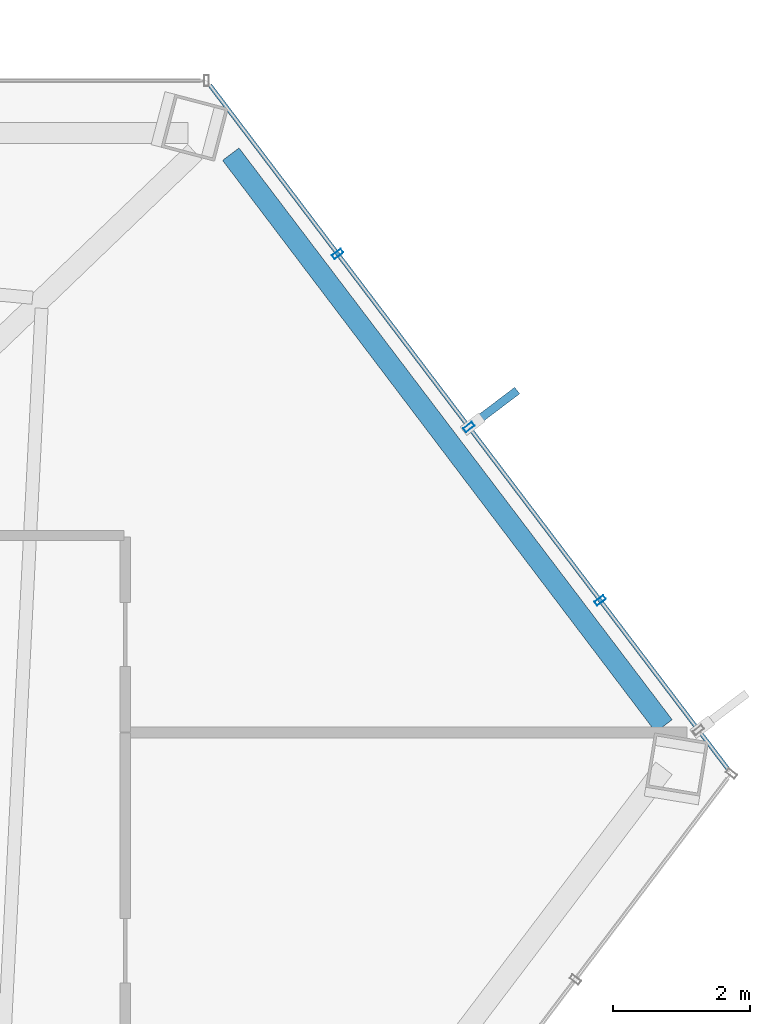
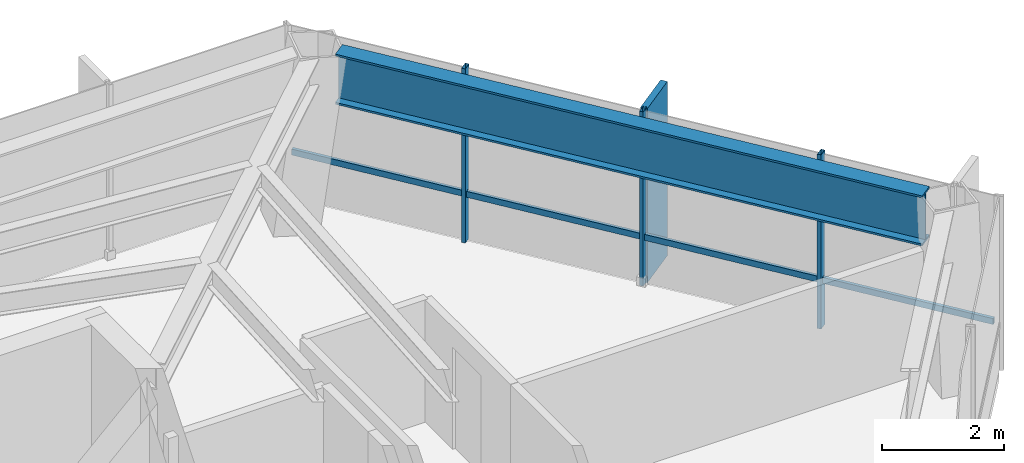
# One storey, part 23 of 29: 5 members, 1 beam, 1 element without a shape of its own.
"""IFC4 building model written with IfcOpenShell, lengths in metres."""

from ifc_helpers import new_model, si_unit, direction, frame, origin, origin_2d, place, context, subcontext, project, spatial, rectangle, hollow_rectangle, i_section, extrude, material, layer, layer_set, material_profile, profile_set, type_object, element, aggregate, save


model = new_model("IFC4")

# Units and contexts
model_context = context("Model", 3, precision=1e-05, world=origin(), true_north=direction((0.0, 1.0)))
body_context = subcontext(model_context, "Body", "Model", "MODEL_VIEW")
ifc_project = project(units=[si_unit("LENGTHUNIT", "METRE"), si_unit("AREAUNIT", "SQUARE_METRE"), si_unit("VOLUMEUNIT", "CUBIC_METRE"), si_unit("PLANEANGLEUNIT", "RADIAN"), si_unit("MASSUNIT", "GRAM", prefix="KILO")], contexts=[model_context])

# Site, building, storey
site_placement = place(None, origin())
site = spatial("IfcSite", under=ifc_project, at=site_placement, CompositionType="ELEMENT")
building_placement = place(site_placement, origin())
building = spatial("IfcBuilding", under=site, at=building_placement, Name="Zarrinselat Tower", CompositionType="ELEMENT")
storey_placement = place(building_placement, frame((0.0, 0.0, 142.1201171875)))
storey = spatial("IfcBuildingStorey", under=building, at=storey_placement, Name="L34", CompositionType="ELEMENT", Elevation=142.1201171875)

# Beam
ifc_material_1 = material(Name="Steel S460M", Category="steel")
ifc_material_profile_1 = material_profile(ifc_material_1, i_section(OverallWidth=0.302001953125, OverallDepth=1.008056640625, WebThickness=0.02099609375, FlangeThickness=0.0400390625, at=origin_2d()), Name="HEM 1000")
ifc_profile_set_1 = profile_set([ifc_material_profile_1], Name="Steel S460M")
beam_type = type_object("IfcBeamType", Name="BM-HEM1000", PredefinedType="BEAM", material=ifc_profile_set_1)
beam_placement = place(storey_placement, frame((55.5439453125, 48.073974609375, 2.995849609375), z_axis=(0.603871136674, -0.797081959582, 0.0), x_axis=(0.797081959582, 0.603871136674, 0.0)))
element("IfcBeam", 1, at=beam_placement, inside=storey, type_object=beam_type, Name="L34 Perimeter Spandrel Girder SP15", PredefinedType="BEAM", context=body_context, shape_type="SweptSolid", body=[
    extrude(i_section(OverallWidth=0.302001953125, OverallDepth=1.008056640625, WebThickness=0.02099609375, FlangeThickness=0.0400390625, at=origin_2d()), origin(), (0.0, 0.0, 1.0), 10.4853515625),
])

# Curtain wall, members
ifc_material_2 = material(Name="Extruded Aluminium Alloy EN AW-6063 T6", Category="aluminium")
ifc_layer = layer(ifc_material_2, 0.175048828125)
ifc_layer_set = layer_set([ifc_layer], Name="Extruded Aluminium Alloy EN AW-6063 T6")
curtain_wall_type = type_object("IfcCurtainWallType", Name="CWS-HTL", PredefinedType="NOTDEFINED", material=ifc_layer_set)
curtain_wall_placement = place(storey_placement, origin())
curtain_wall = element("IfcCurtainWall", 2, at=curtain_wall_placement, inside=storey, type_object=curtain_wall_type, Name="L34 Unitised Curtain Wall CW-L34-E06", PredefinedType="NOTDEFINED")
ifc_material_3 = material(Name="Extruded Aluminium Alloy EN AW-6063 T6", Category="aluminium")
ifc_material_profile_2 = material_profile(ifc_material_3, hollow_rectangle(XDim=0.070068359375, YDim=0.159912109375, WallThickness=0.00390625, at=origin_2d()), Name="RHS 160x70x4")
ifc_profile_set_2 = profile_set([ifc_material_profile_2], Name="Extruded Aluminium Alloy EN AW-6063 T6")
member_type_1 = type_object("IfcMemberType", Name="MEM-CW-MUL2", PredefinedType="MULLION", material=ifc_profile_set_2)
member_1_placement = place(storey_placement, frame((60.943603515625, 41.552490234375, 0.0), z_axis=(0.0, 0.0, 1.0), x_axis=(-0.60385935447, 0.79709088567, 0.0)))
member_1 = element("IfcMember", 3, at=member_1_placement, type_object=member_type_1, Name="CW-L34-E06 Mullion 2", PredefinedType="MULLION", context=body_context, shape_type="SweptSolid", body=[
    extrude(hollow_rectangle(XDim=0.070068359375, YDim=0.159912109375, WallThickness=0.00390625, at=origin_2d()), origin(), (0.0, 0.0, 1.0), 3.5),
])
member_2_placement = place(storey_placement, frame((59.025146484375, 44.0849609375, 0.0), z_axis=(0.0, 0.0, 1.0), x_axis=(-0.60385935447, 0.79709088567, 0.0)))
member_2 = element("IfcMember", 4, at=member_2_placement, type_object=member_type_1, Name="CW-L34-E06 Mullion 3", PredefinedType="MULLION", context=body_context, shape_type="SweptSolid", body=[
    extrude(hollow_rectangle(XDim=0.070068359375, YDim=0.159912109375, WallThickness=0.00390625, at=origin_2d()), origin(), (0.0, 0.0, 1.0), 3.5),
])
member_3_placement = place(storey_placement, frame((57.1064453125, 46.617431640625, 0.0), z_axis=(0.0, 0.0, 1.0), x_axis=(-0.60385935447, 0.79709088567, 0.0)))
member_3 = element("IfcMember", 5, at=member_3_placement, type_object=member_type_1, Name="CW-L34-E06 Mullion 4", PredefinedType="MULLION", context=body_context, shape_type="SweptSolid", body=[
    extrude(hollow_rectangle(XDim=0.070068359375, YDim=0.159912109375, WallThickness=0.00390625, at=origin_2d()), origin(), (0.0, 0.0, 1.0), 3.5),
])
ifc_material_4 = material(Name="Extruded Aluminium Alloy EN AW-6063 T6", Category="aluminium")
ifc_material_profile_3 = material_profile(ifc_material_4, hollow_rectangle(XDim=0.06005859375, YDim=0.1201171875, WallThickness=0.00390625, at=origin_2d()), Name="RHS 120x60x4")
ifc_profile_set_3 = profile_set([ifc_material_profile_3], Name="Extruded Aluminium Alloy EN AW-6063 T6")
member_type_2 = type_object("IfcMemberType", Name="MEM-CW-TRN2", PredefinedType="USERDEFINED", material=ifc_profile_set_3)
member_4_placement = place(storey_placement, frame((62.807861328125, 39.091796875, 0.949951171875), z_axis=(-0.603862190081, 0.797088737463, 0.0), x_axis=(-0.797088737463, -0.603862190081, 0.0)))
member_4 = element("IfcMember", 6, at=member_4_placement, type_object=member_type_2, Name="CW-L34-E06 Transom 1", ObjectType="TRANSOM", PredefinedType="USERDEFINED", context=body_context, shape_type="SweptSolid", body=[
    extrude(hollow_rectangle(XDim=0.06005859375, YDim=0.1201171875, WallThickness=0.00390625, at=origin_2d()), origin(), (0.0, 0.0, 1.0), 12.52880859375),
])
ifc_material_5 = material(Name="Honed Cream Travertine Stone", Category="masonry")
ifc_material_profile_4 = material_profile(ifc_material_5, rectangle(XDim=0.1201171875, YDim=0.85009765625, at=origin_2d()), Name="FIN 850x120")
ifc_profile_set_4 = profile_set([ifc_material_profile_4], Name="Honed Cream Travertine Stone")
member_type_3 = type_object("IfcMemberType", Name="MEM-STONE-FIN", PredefinedType="USERDEFINED", material=ifc_profile_set_4)
member_5_placement = place(storey_placement, frame((59.391845703125, 44.36279296875, 0.0), z_axis=(0.0, 0.0, 1.0), x_axis=(0.60385935447, -0.79709088567, 0.0)))
member_5 = element("IfcMember", 7, at=member_5_placement, type_object=member_type_3, Name="L34 Stone Shading Fin CW-L34-E06-03", ObjectType="FIN", PredefinedType="USERDEFINED", context=body_context, shape_type="SweptSolid", body=[
    extrude(rectangle(XDim=0.1201171875, YDim=0.85009765625, at=origin_2d()), origin(), (0.0, 0.0, 1.0), 3.5),
])
aggregate(curtain_wall, [member_1, member_2, member_5, member_3, member_4])

save(model, "model.ifc")
